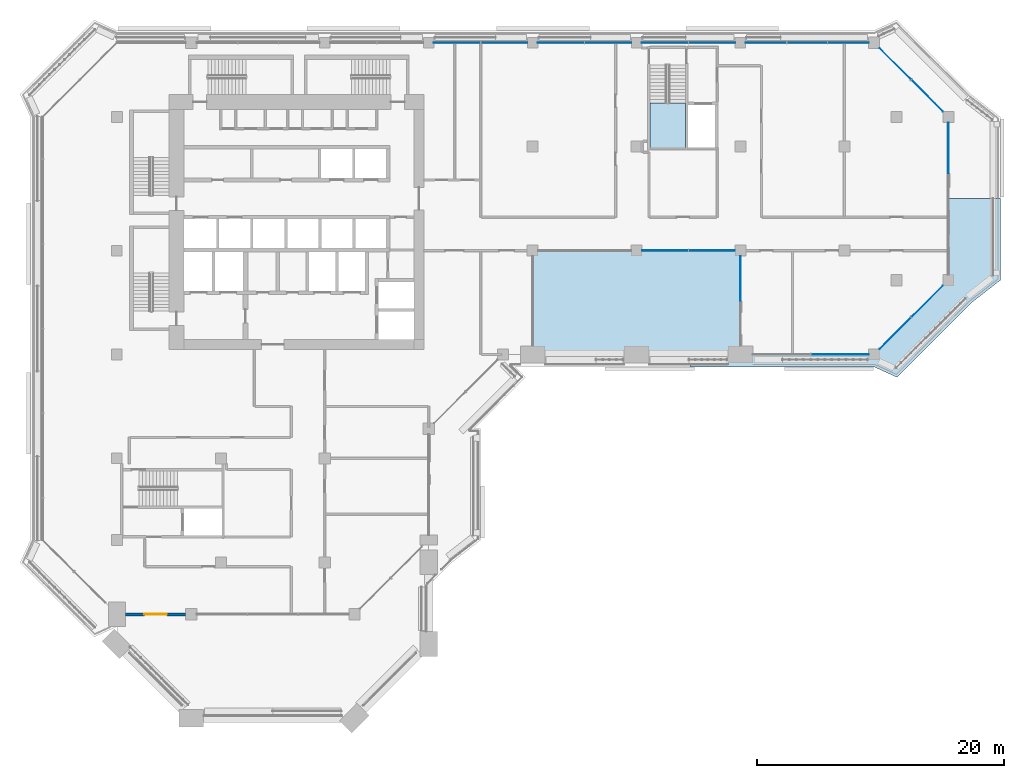
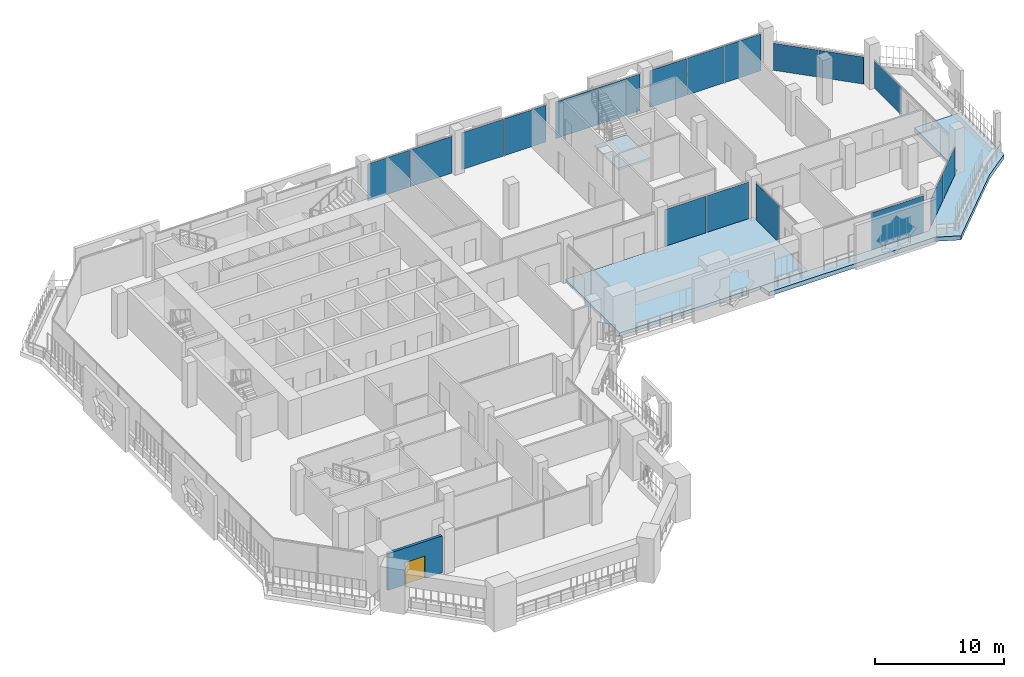
# One storey, part 11 of 24: 18 plates, 3 slabs, 1 door, 1 wall, 1 opening, 8 elements without a shape of their own.
"""IFC4 building model written with IfcOpenShell, lengths in metres."""

from ifc_helpers import new_model, si_unit, direction, frame, frame_2d, origin, origin_2d, place, context, subcontext, project, spatial, polyline, rectangle, outline, extrude, material, layer, layer_set, type_object, element, fill, aggregate, save


model = new_model("IFC4")

# Units and contexts
model_context = context("Model", 3, precision=1e-05, world=origin(), true_north=direction((0.0, 1.0)))
body_context = subcontext(model_context, "Body", "Model", "MODEL_VIEW")
ifc_project = project(units=[si_unit("LENGTHUNIT", "METRE"), si_unit("AREAUNIT", "SQUARE_METRE"), si_unit("VOLUMEUNIT", "CUBIC_METRE"), si_unit("PLANEANGLEUNIT", "RADIAN"), si_unit("MASSUNIT", "GRAM", prefix="KILO")], contexts=[model_context])

# Site, building, storey
site_placement = place(None, origin())
site = spatial("IfcSite", under=ifc_project, at=site_placement, CompositionType="ELEMENT")
building_placement = place(site_placement, origin())
building = spatial("IfcBuilding", under=site, at=building_placement, Name="Kawkab Arch Medical Tower", CompositionType="ELEMENT")
storey_placement = place(building_placement, frame((0.0, 0.0, 218.0)))
storey = spatial("IfcBuildingStorey", under=building, at=storey_placement, Name="L50", CompositionType="ELEMENT", Elevation=218.0)

# Curtain wall, plate
ifc_material_1 = material(Name="Bronze anodised aluminium curtain wall frame", Category="aluminium")
ifc_layer_1 = layer(ifc_material_1, 0.159912109375)
ifc_layer_set_1 = layer_set([ifc_layer_1], Name="Bronze anodised aluminium curtain wall frame")
curtain_wall_type_1 = type_object("IfcCurtainWallType", Name="CW1 ward curtain wall", PredefinedType="NOTDEFINED", material=ifc_layer_set_1)
placement = place(storey_placement, origin())
curtain_wall_1 = element("IfcCurtainWall", 1, at=placement, inside=storey, type_object=curtain_wall_type_1, Name="CW1 Ward curtain wall R05", PredefinedType="NOTDEFINED")
ifc_material_2 = material(Name="Tinted insulating glass, bronze low-e coating", Category="glass")
ifc_layer_2 = layer(ifc_material_2, 0.031982421875)
ifc_layer_set_2 = layer_set([ifc_layer_2], Name="Tinted insulating glass, bronze low-e coating")
plate_type_1 = type_object("IfcPlateType", Name="CW1 glazing unit 32", PredefinedType="CURTAIN_PANEL", material=ifc_layer_set_2)
plate_1_placement = place(storey_placement, frame((58.427490234375, -25.199951171875, 0.0), z_axis=(0.0, 0.0, 1.0), x_axis=(1.0, 0.0, 0.0)))
plate_1 = element("IfcPlate", 2, at=plate_1_placement, type_object=plate_type_1, Name="CW1 glazing unit 1.2", PredefinedType="CURTAIN_PANEL", context=body_context, shape_type="SweptSolid", body=[
    extrude(rectangle(XDim=4.64501953125, YDim=0.031982421875, at=origin_2d()), origin(), (0.0, 0.0, 1.0), 3.47998046875),
])
aggregate(curtain_wall_1, [plate_1])

curtain_wall_2 = element("IfcCurtainWall", 3, at=placement, inside=storey, type_object=curtain_wall_type_1, Name="CW1 Ward curtain wall R07", PredefinedType="NOTDEFINED")
plate_2_placement = place(storey_placement, frame((67.199951171875, -8.5, 0.0), z_axis=(0.0, 0.0, 1.0), x_axis=(0.0, 1.0, 0.0)))
plate_2 = element("IfcPlate", 4, at=plate_2_placement, type_object=plate_type_1, Name="CW1 glazing unit 1.3", PredefinedType="CURTAIN_PANEL", context=body_context, shape_type="SweptSolid", body=[
    extrude(rectangle(XDim=4.10009765625, YDim=0.031982421875, at=origin_2d()), origin(), (0.0, 0.0, 1.0), 2.580078125),
])
aggregate(curtain_wall_2, [plate_2])

# Curtain wall, plates
curtain_wall_3 = element("IfcCurtainWall", 5, at=placement, inside=storey, type_object=curtain_wall_type_1, Name="CW1 Ward curtain wall R09", PredefinedType="NOTDEFINED")
plate_3_placement = place(storey_placement, frame((59.11083984375, 0.0, 0.0), z_axis=(0.0, 0.0, 1.0), x_axis=(-1.0, 0.0, 0.0)))
plate_3 = element("IfcPlate", 6, at=plate_3_placement, type_object=plate_type_1, Name="CW1 glazing unit 1.1", PredefinedType="CURTAIN_PANEL", context=body_context, shape_type="SweptSolid", body=[
    extrude(rectangle(XDim=3.2783203125, YDim=0.031982421875, at=origin_2d()), origin(), (0.0, 0.0, 1.0), 3.47998046875),
])
plate_4_placement = place(storey_placement, frame((55.78759765625, 0.0, 0.0), z_axis=(0.0, 0.0, 1.0), x_axis=(-1.0, 0.0, 0.0)))
plate_4 = element("IfcPlate", 7, at=plate_4_placement, type_object=plate_type_1, Name="CW1 glazing unit 1.2", PredefinedType="CURTAIN_PANEL", context=body_context, shape_type="SweptSolid", body=[
    extrude(rectangle(XDim=3.248291015625, YDim=0.031982421875, at=origin_2d()), origin(), (0.0, 0.0, 1.0), 3.47998046875),
])
plate_5_placement = place(storey_placement, frame((52.464111328125, 0.0, 0.0), z_axis=(0.0, 0.0, 1.0), x_axis=(-1.0, 0.0, 0.0)))
plate_5 = element("IfcPlate", 8, at=plate_5_placement, type_object=plate_type_1, Name="CW1 glazing unit 1.3", PredefinedType="CURTAIN_PANEL", context=body_context, shape_type="SweptSolid", body=[
    extrude(rectangle(XDim=3.2783203125, YDim=0.031982421875, at=origin_2d()), origin(), (0.0, 0.0, 1.0), 3.47998046875),
])
plate_6_placement = place(storey_placement, frame((48.1025390625, 0.0, 0.0), z_axis=(0.0, 0.0, 1.0), x_axis=(-1.0, 0.0, 0.0)))
plate_6 = element("IfcPlate", 9, at=plate_6_placement, type_object=plate_type_1, Name="CW1 glazing unit 2.1", PredefinedType="CURTAIN_PANEL", context=body_context, shape_type="SweptSolid", body=[
    extrude(rectangle(XDim=3.7451171875, YDim=0.031982421875, at=origin_2d()), origin(), (0.0, 0.0, 1.0), 3.47998046875),
])
plate_7_placement = place(storey_placement, frame((44.297607421875, 0.0, 0.0), z_axis=(0.0, 0.0, 1.0), x_axis=(-1.0, 0.0, 0.0)))
plate_7 = element("IfcPlate", 10, at=plate_7_placement, type_object=plate_type_1, Name="CW1 glazing unit 2.2", PredefinedType="CURTAIN_PANEL", context=body_context, shape_type="SweptSolid", body=[
    extrude(rectangle(XDim=3.7451171875, YDim=0.031982421875, at=origin_2d()), origin(), (0.0, 0.0, 1.0), 3.47998046875),
])
plate_8_placement = place(storey_placement, frame((39.702392578125, 0.0, 0.0), z_axis=(0.0, 0.0, 1.0), x_axis=(-1.0, 0.0, 0.0)))
plate_8 = element("IfcPlate", 11, at=plate_8_placement, type_object=plate_type_1, Name="CW1 glazing unit 3.1", PredefinedType="CURTAIN_PANEL", context=body_context, shape_type="SweptSolid", body=[
    extrude(rectangle(XDim=3.7451171875, YDim=0.031982421875, at=origin_2d()), origin(), (0.0, 0.0, 1.0), 3.47998046875),
])
plate_9_placement = place(storey_placement, frame((35.8974609375, 0.0, 0.0), z_axis=(0.0, 0.0, 1.0), x_axis=(-1.0, 0.0, 0.0)))
plate_9 = element("IfcPlate", 12, at=plate_9_placement, type_object=plate_type_1, Name="CW1 glazing unit 3.2", PredefinedType="CURTAIN_PANEL", context=body_context, shape_type="SweptSolid", body=[
    extrude(rectangle(XDim=3.7451171875, YDim=0.031982421875, at=origin_2d()), origin(), (0.0, 0.0, 1.0), 3.47998046875),
])
plate_10_placement = place(storey_placement, frame((31.302490234375, 0.0, 0.0), z_axis=(0.0, 0.0, 1.0), x_axis=(-1.0, 0.0, 0.0)))
plate_10 = element("IfcPlate", 13, at=plate_10_placement, type_object=plate_type_1, Name="CW1 glazing unit 4.1", PredefinedType="CURTAIN_PANEL", context=body_context, shape_type="SweptSolid", body=[
    extrude(rectangle(XDim=3.7451171875, YDim=0.031982421875, at=origin_2d()), origin(), (0.0, 0.0, 1.0), 3.47998046875),
])
plate_11_placement = place(storey_placement, frame((27.49755859375, 0.0, 0.0), z_axis=(0.0, 0.0, 1.0), x_axis=(-1.0, 0.0, 0.0)))
plate_11 = element("IfcPlate", 14, at=plate_11_placement, type_object=plate_type_1, Name="CW1 glazing unit 4.2", PredefinedType="CURTAIN_PANEL", context=body_context, shape_type="SweptSolid", body=[
    extrude(rectangle(XDim=3.7451171875, YDim=0.031982421875, at=origin_2d()), origin(), (0.0, 0.0, 1.0), 3.47998046875),
])
aggregate(curtain_wall_3, [plate_3, plate_4, plate_5, plate_6, plate_7, plate_8, plate_9, plate_10, plate_11])

ifc_material_3 = material(Name="Bronze anodised aluminium curtain wall frame", Category="aluminium")
ifc_layer_3 = layer(ifc_material_3, 0.159912109375)
ifc_layer_set_3 = layer_set([ifc_layer_3], Name="Bronze anodised aluminium curtain wall frame")
curtain_wall_type_2 = type_object("IfcCurtainWallType", Name="CW2 chamfer curtain wall", PredefinedType="NOTDEFINED", material=ifc_layer_set_3)
curtain_wall_4 = element("IfcCurtainWall", 15, at=placement, inside=storey, type_object=curtain_wall_type_2, Name="CW2 Chamfer curtain wall R06", PredefinedType="NOTDEFINED")
ifc_material_4 = material(Name="Tinted insulating glass, bronze low-e coating", Category="glass")
ifc_layer_4 = layer(ifc_material_4, 0.031982421875)
ifc_layer_set_4 = layer_set([ifc_layer_4], Name="Tinted insulating glass, bronze low-e coating")
plate_type_2 = type_object("IfcPlateType", Name="CW2 glazing unit 32", PredefinedType="CURTAIN_PANEL", material=ifc_layer_set_4)
plate_12_placement = place(storey_placement, frame((62.914306640625, -23.485595703125, 0.0), z_axis=(0.0, 0.0, 1.0), x_axis=(0.707106781187, 0.707106781187, 0.0)))
plate_12 = element("IfcPlate", 16, at=plate_12_placement, type_object=plate_type_2, Name="CW2 glazing unit 1.1", PredefinedType="CURTAIN_PANEL", context=body_context, shape_type="SweptSolid", body=[
    extrude(rectangle(XDim=3.576171875, YDim=0.031982421875, at=origin_2d()), origin(), (0.0, 0.0, 1.0), 2.56005859375),
])
plate_13_placement = place(storey_placement, frame((65.485595703125, -20.914306640625, 0.0), z_axis=(0.0, 0.0, 1.0), x_axis=(0.707106781187, 0.707106781187, 0.0)))
plate_13 = element("IfcPlate", 17, at=plate_13_placement, type_object=plate_type_2, Name="CW2 glazing unit 1.2", PredefinedType="CURTAIN_PANEL", context=body_context, shape_type="SweptSolid", body=[
    extrude(rectangle(XDim=3.576171875, YDim=0.031982421875, at=origin_2d()), origin(), (0.0, 0.0, 1.0), 2.56005859375),
])
aggregate(curtain_wall_4, [plate_12, plate_13])

curtain_wall_5 = element("IfcCurtainWall", 18, at=placement, inside=storey, type_object=curtain_wall_type_2, Name="CW2 Chamfer curtain wall R08", PredefinedType="NOTDEFINED")
plate_14_placement = place(storey_placement, frame((65.485595703125, -4.28564453125, 0.0), z_axis=(0.0, 0.0, 1.0), x_axis=(-0.707106781187, 0.707106781187, 0.0)))
plate_14 = element("IfcPlate", 19, at=plate_14_placement, type_object=plate_type_2, Name="CW2 glazing unit 1.1", PredefinedType="CURTAIN_PANEL", context=body_context, shape_type="SweptSolid", body=[
    extrude(rectangle(XDim=3.576171875, YDim=0.031982421875, at=origin_2d()), origin(), (0.0, 0.0, 1.0), 2.56005859375),
])
plate_15_placement = place(storey_placement, frame((62.914306640625, -1.71435546875, 0.0), z_axis=(0.0, 0.0, 1.0), x_axis=(-0.707106781187, 0.707106781187, 0.0)))
plate_15 = element("IfcPlate", 20, at=plate_15_placement, type_object=plate_type_2, Name="CW2 glazing unit 1.2", PredefinedType="CURTAIN_PANEL", context=body_context, shape_type="SweptSolid", body=[
    extrude(rectangle(XDim=3.576171875, YDim=0.031982421875, at=origin_2d()), origin(), (0.0, 0.0, 1.0), 2.56005859375),
])
aggregate(curtain_wall_5, [plate_14, plate_15])

ifc_material_5 = material(Name="Bronze anodised aluminium curtain wall frame", Category="aluminium")
ifc_layer_5 = layer(ifc_material_5, 0.159912109375)
ifc_layer_set_5 = layer_set([ifc_layer_5], Name="Bronze anodised aluminium curtain wall frame")
curtain_wall_type_3 = type_object("IfcCurtainWallType", Name="CW3 sky garden curtain wall", PredefinedType="NOTDEFINED", material=ifc_layer_set_5)
curtain_wall_6 = element("IfcCurtainWall", 21, at=placement, inside=storey, type_object=curtain_wall_type_3, Name="CW3 Sky garden curtain wall R03", PredefinedType="NOTDEFINED")
ifc_material_6 = material(Name="Tinted laminated insulating glass, grey-green", Category="glass")
ifc_layer_6 = layer(ifc_material_6, 0.035888671875)
ifc_layer_set_6 = layer_set([ifc_layer_6], Name="Tinted laminated insulating glass, grey-green")
plate_type_3 = type_object("IfcPlateType", Name="CW3 glazing unit 36", PredefinedType="CURTAIN_PANEL", material=ifc_layer_set_6)
plate_16_placement = place(storey_placement, frame((44.3076171875, -16.800048828125, 0.0), z_axis=(0.0, 0.0, 1.0), x_axis=(1.0, 0.0, 0.0)))
plate_16 = element("IfcPlate", 22, at=plate_16_placement, type_object=plate_type_3, Name="CW3 glazing unit 2.1", PredefinedType="CURTAIN_PANEL", context=body_context, shape_type="SweptSolid", body=[
    extrude(rectangle(XDim=3.715087890625, YDim=0.035888671875, at=origin_2d()), origin(), (0.0, 0.0, 1.0), 3.4599609375),
])
plate_17_placement = place(storey_placement, frame((48.092529296875, -16.800048828125, 0.0), z_axis=(0.0, 0.0, 1.0), x_axis=(1.0, 0.0, 0.0)))
plate_17 = element("IfcPlate", 23, at=plate_17_placement, type_object=plate_type_3, Name="CW3 glazing unit 2.2", PredefinedType="CURTAIN_PANEL", context=body_context, shape_type="SweptSolid", body=[
    extrude(rectangle(XDim=3.715087890625, YDim=0.035888671875, at=origin_2d()), origin(), (0.0, 0.0, 1.0), 3.4599609375),
])
aggregate(curtain_wall_6, [plate_16, plate_17])

# Curtain wall, plate
curtain_wall_7 = element("IfcCurtainWall", 24, at=placement, inside=storey, type_object=curtain_wall_type_3, Name="CW3 Sky garden curtain wall R04", PredefinedType="NOTDEFINED")
plate_18_placement = place(storey_placement, frame((50.39990234375, -19.0625, 0.0), z_axis=(0.0, 0.0, 1.0), x_axis=(0.0, -1.0, 0.0)))
plate_18 = element("IfcPlate", 25, at=plate_18_placement, type_object=plate_type_3, Name="CW3 glazing unit 1.1", PredefinedType="CURTAIN_PANEL", context=body_context, shape_type="SweptSolid", body=[
    extrude(rectangle(XDim=3.625, YDim=0.035888671875, at=origin_2d()), origin(), (0.0, 0.0, 1.0), 3.4599609375),
])
aggregate(curtain_wall_7, [plate_18])

# Stair, slab
ifc_material_7 = material(Name="Concrete C40/50", Category="concrete")
stair_type = type_object("IfcStairType", Name="Exit stair 1350", PredefinedType="HALF_TURN_STAIR", material=ifc_material_7)
stair = element("IfcStair", 26, at=placement, inside=storey, type_object=stair_type, Name="L50 Exit stair ST5", PredefinedType="HALF_TURN_STAIR")
ifc_material_8 = material(Name="Concrete C40/50", Category="concrete")
ifc_layer_7 = layer(ifc_material_8, 0.199951171875)
ifc_layer_set_7 = layer_set([ifc_layer_7], Name="Concrete C40/50")
slab_type_1 = type_object("IfcSlabType", Name="Exit stair landing 200", PredefinedType="LANDING", material=ifc_layer_set_7)
slab_1_placement = place(storey_placement, frame((0.0, 0.0, 1.89990234375)))
slab_1 = element("IfcSlab", 27, at=slab_1_placement, type_object=slab_type_1, Name="ST5 landing 1", PredefinedType="LANDING", context=body_context, shape_type="SweptSolid", body=[
    extrude(outline(polyline([(43.10009765625, -4.8798828125), (43.10009765625, -8.5), (45.949951171875, -8.5), (45.949951171875, -4.8798828125), (43.10009765625, -4.8798828125)])), origin(), (0.0, 0.0, 1.0), 0.2001953125),
])
aggregate(stair, [slab_1])

# Slabs
ifc_material_9 = material(Name="Concrete C40/50", Category="concrete")
ifc_layer_8 = layer(ifc_material_9, 0.39990234375)
ifc_layer_set_8 = layer_set([ifc_layer_8], Name="Concrete C40/50")
slab_type_2 = type_object("IfcSlabType", Name="Loggia slab 400", PredefinedType="FLOOR", material=ifc_layer_set_8)
slab_2_placement = place(storey_placement, frame((0.0, 0.0, -0.39990234375)))
element("IfcSlab", 28, at=slab_2_placement, inside=storey, type_object=slab_type_2, Name="Loggia slab L50.2", PredefinedType="FLOOR", context=body_context, shape_type="SweptSolid", body=[
    extrude(outline(polyline([(69.0380859375, -21.0380859375), (63.0380859375, -27.0380859375), (61.199951171875, -26.199951171875), (46.366943359375, -26.199951171875), (46.200927734375, -25.200927734375), (50.39306640625, -25.200927734375), (50.39306640625, -25.199951171875), (61.199951171875, -25.199951171875), (67.199951171875, -19.199951171875), (67.200927734375, -19.199951171875), (67.200927734375, -12.60009765625), (71.39990234375, -12.60009765625), (71.39990234375, -19.199951171875), (69.0380859375, -21.0380859375)])), origin(), (0.0, 0.0, 1.0), 0.39990234375),
])
ifc_material_10 = material(Name="Concrete C40/50", Category="concrete")
ifc_layer_9 = layer(ifc_material_10, 0.300048828125)
ifc_layer_set_9 = layer_set([ifc_layer_9], Name="Concrete C40/50")
slab_type_3 = type_object("IfcSlabType", Name="Terrace slab 300", PredefinedType="FLOOR", material=ifc_layer_set_9)
slab_3_placement = place(storey_placement, frame((0.0, 0.0, -0.300048828125)))
element("IfcSlab", 29, at=slab_3_placement, inside=storey, type_object=slab_type_3, Name="Sky garden slab L50.1", PredefinedType="FLOOR", context=body_context, shape_type="SweptSolid", body=[
    extrude(outline(polyline([(33.60888671875, -25.199951171875), (33.610107421875, -25.199951171875), (33.611083984375, -25.199951171875), (50.388916015625, -25.199951171875), (50.389892578125, -25.199951171875), (50.39111328125, -25.199951171875), (50.39208984375, -25.199951171875), (50.39306640625, -25.198974609375), (50.39404296875, -25.198974609375), (50.39501953125, -25.197998046875), (50.39599609375, -25.197998046875), (50.39697265625, -25.197021484375), (50.39697265625, -25.196044921875), (50.39794921875, -25.196044921875), (50.39794921875, -25.195068359375), (50.39892578125, -25.194091796875), (50.39892578125, -25.193115234375), (50.39892578125, -25.19189453125), (50.39892578125, -25.19091796875), (50.39892578125, -25.18994140625), (50.39892578125, -16.81103515625), (50.39892578125, -16.81005859375), (50.39892578125, -16.80908203125), (50.39892578125, -16.80810546875), (50.39892578125, -16.806884765625), (50.39794921875, -16.805908203125), (50.39794921875, -16.804931640625), (50.39697265625, -16.803955078125), (50.39697265625, -16.802978515625), (50.39599609375, -16.802978515625), (50.39501953125, -16.802001953125), (50.39404296875, -16.802001953125), (50.39306640625, -16.801025390625), (50.39208984375, -16.801025390625), (50.39111328125, -16.801025390625), (50.389892578125, -16.801025390625), (50.388916015625, -16.800048828125), (33.611083984375, -16.800048828125), (33.610107421875, -16.801025390625), (33.60888671875, -16.801025390625), (33.60791015625, -16.801025390625), (33.60693359375, -16.801025390625), (33.60595703125, -16.802001953125), (33.60498046875, -16.802001953125), (33.60400390625, -16.802978515625), (33.60302734375, -16.802978515625), (33.60302734375, -16.803955078125), (33.60205078125, -16.804931640625), (33.60205078125, -16.805908203125), (33.60107421875, -16.806884765625), (33.60107421875, -16.80810546875), (33.60107421875, -16.80908203125), (33.60107421875, -16.81005859375), (33.60107421875, -16.81103515625), (33.60107421875, -25.18994140625), (33.60107421875, -25.19091796875), (33.60107421875, -25.19189453125), (33.60107421875, -25.193115234375), (33.60107421875, -25.194091796875), (33.60205078125, -25.195068359375), (33.60205078125, -25.196044921875), (33.60302734375, -25.196044921875), (33.60302734375, -25.197021484375), (33.60400390625, -25.197998046875), (33.60498046875, -25.197998046875), (33.60595703125, -25.198974609375), (33.60693359375, -25.198974609375), (33.60791015625, -25.199951171875), (33.60888671875, -25.199951171875)])), origin(), (0.0, 0.0, 1.0), 0.300048828125),
])

# Wall, opening, door
ifc_material_11 = material(Name="Bronze clad insulated wall panel")
ifc_layer_10 = layer(ifc_material_11, 0.25)
ifc_layer_set_10 = layer_set([ifc_layer_10], Name="Bronze clad insulated wall panel")
wall_type = type_object("IfcWallType", Name="External wall bay 250", PredefinedType="SOLIDWALL", material=ifc_layer_set_10)
wall_placement = place(storey_placement, frame((0.699951171875, -46.199951171875, 0.0), z_axis=(0.0, 0.0, 1.0), x_axis=(1.0, 0.0, 0.0)))
wall = element("IfcWall", 30, at=wall_placement, inside=storey, type_object=wall_type, Name="External wall bay L50.R13.1.1", PredefinedType="SOLIDWALL", context=body_context, shape_type="SweptSolid", body=[
    extrude(rectangle(XDim=4.85009765625, YDim=0.25, at=frame_2d((2.425048828125, 0.0))), origin(), (0.0, 0.0, 1.0), 3.47998046875),
])
opening_placement = place(wall_placement, frame((1.52490234375, 0.0, 0.0)))
opening = element("IfcOpeningElement", 31, at=opening_placement, cuts=wall, Name="Opening B50-701", PredefinedType="OPENING", context=body_context, shape_type="SweptSolid", body=[
    extrude(rectangle(XDim=1.800048828125, YDim=2.10009765625, at=frame_2d((0.89990234375, 1.050048828125))), frame((0.0, 0.135009765625, 0.0), z_axis=(0.0, -1.0, 0.0), x_axis=(1.0, 0.0, 0.0)), (0.0, 0.0, 1.0), 0.27001953125),
])
ifc_material_12 = material(Name="Bronze anodised aluminium door with tinted glass", Category="aluminium")
door_type = type_object("IfcDoorType", Name="Double external door 1800 x 2100", OperationType="DOUBLE_DOOR_SINGLE_SWING", PredefinedType="DOOR", material=ifc_material_12)
door_placement = place(opening_placement, origin())
door = element("IfcDoor", 32, at=door_placement, inside=storey, type_object=door_type, Name="External door L50.R13.1.1", OperationType="DOUBLE_DOOR_SINGLE_SWING", OverallHeight=2.10009765625, OverallWidth=1.800048828125, PredefinedType="DOOR", context=body_context, shape_type="SweptSolid", body=[
    extrude(rectangle(XDim=1.800048828125, YDim=2.10009765625, at=frame_2d((0.89990234375, 1.050048828125))), frame((0.0, 0.02490234375, 0.0), z_axis=(0.0, -1.0, 0.0), x_axis=(1.0, 0.0, 0.0)), (0.0, 0.0, 1.0), 0.050048828125),
])
fill(opening, door)

save(model, "model.ifc")
